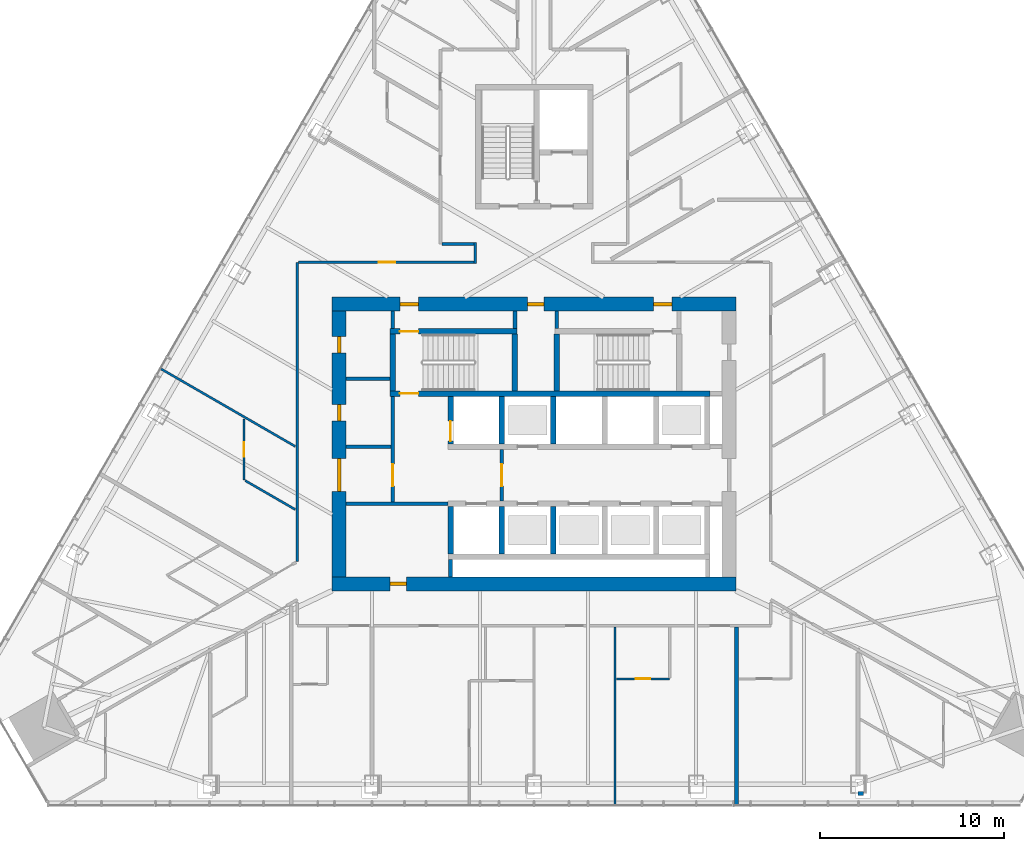
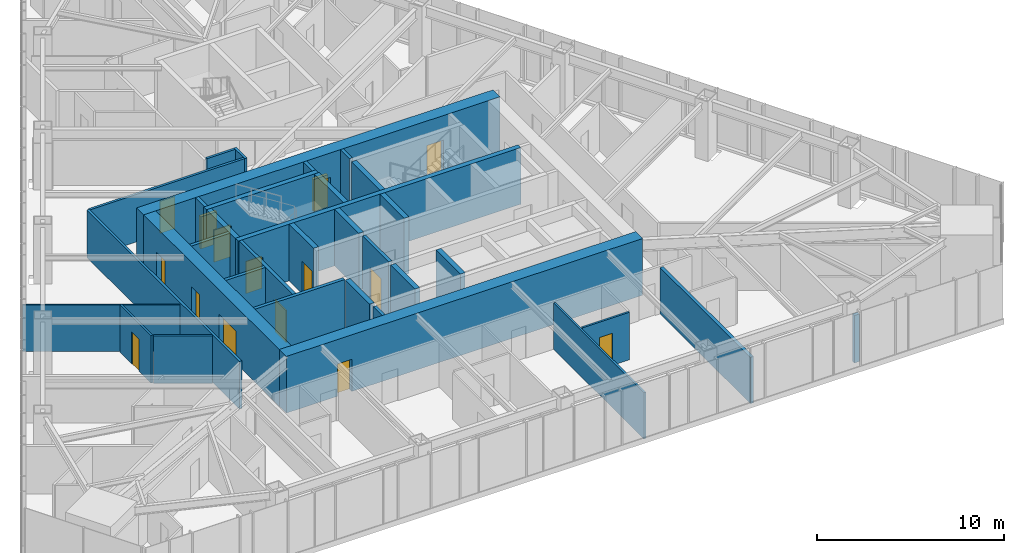
# One storey, part 14 of 19: 34 walls, 15 doors, 15 openings.
"""IFC4 building model written with IfcOpenShell, lengths in metres."""

from ifc_helpers import new_model, si_unit, direction, frame, frame_2d, origin, place, context, subcontext, project, spatial, rectangle, extrude, material, layer, layer_set, type_object, element, fill, save


model = new_model("IFC4")

# Units and contexts
model_context = context("Model", 3, precision=1e-05, world=origin(), true_north=direction((0.0, 1.0)))
body_context = subcontext(model_context, "Body", "Model", "MODEL_VIEW")
ifc_project = project(units=[si_unit("LENGTHUNIT", "METRE"), si_unit("AREAUNIT", "SQUARE_METRE"), si_unit("VOLUMEUNIT", "CUBIC_METRE"), si_unit("PLANEANGLEUNIT", "RADIAN"), si_unit("MASSUNIT", "GRAM", prefix="KILO")], contexts=[model_context])

# Site, building, storey
site_placement = place(None, origin())
site = spatial("IfcSite", under=ifc_project, at=site_placement, CompositionType="ELEMENT")
building_placement = place(site_placement, origin())
building = spatial("IfcBuilding", under=site, at=building_placement, Name="Firuza Gate Tower and Library", CompositionType="ELEMENT")
storey_placement = place(building_placement, frame((0.0, 0.0, 179.199951171875)))
storey = spatial("IfcBuildingStorey", under=building, at=storey_placement, Name="L41", CompositionType="ELEMENT", Elevation=179.199951171875)

# Walls
ifc_material_1 = material(Name="Plasterboard on steel studs", Category="steel")
ifc_layer_1 = layer(ifc_material_1, 0.199951171875)
ifc_layer_set_1 = layer_set([ifc_layer_1], Name="Core partition 200 EI 120")
wall_type_1 = type_object("IfcWallType", Name="Core partition 200 EI 120", PredefinedType="PARTITIONING", material=ifc_layer_set_1)
wall_1_placement = place(storey_placement, frame((64.75, 71.75, 0.0), z_axis=(0.0, 0.0, 1.0), x_axis=(1.0, 0.0, 0.0)))
element("IfcWall", 1, at=wall_1_placement, inside=storey, type_object=wall_type_1, Name="Core partition L41 1", PredefinedType="PARTITIONING", context=body_context, shape_type="SweptSolid", body=[
    extrude(rectangle(XDim=5.550048828125, YDim=0.199951171875, at=frame_2d((2.77490234375, 0.0))), origin(), (0.0, 0.0, 1.0), 3.699951171875),
])
wall_2_placement = place(storey_placement, frame((70.449951171875, 67.75, 0.0), z_axis=(0.0, 0.0, 1.0), x_axis=(0.0, 1.0, 0.0)))
element("IfcWall", 2, at=wall_2_placement, inside=storey, type_object=wall_type_1, Name="Core partition L41 9", PredefinedType="PARTITIONING", context=body_context, shape_type="SweptSolid", body=[
    extrude(rectangle(XDim=0.949951171875, YDim=0.199951171875, at=frame_2d((0.47509765625, 0.0))), origin(), (0.0, 0.0, 1.0), 3.699951171875),
])
ifc_material_2 = material(Name="Plasterboard on steel studs", Category="steel")
ifc_layer_2 = layer(ifc_material_2, 0.199951171875)
ifc_layer_set_2 = layer_set([ifc_layer_2], Name="Core partition 200 EI 60")
wall_type_2 = type_object("IfcWallType", Name="Core partition 200 EI 60", PredefinedType="PARTITIONING", material=ifc_layer_set_2)
wall_3_placement = place(storey_placement, frame((64.75, 74.85009765625, 0.0), z_axis=(0.0, 0.0, 1.0), x_axis=(1.0, 0.0, 0.0)))
element("IfcWall", 3, at=wall_3_placement, inside=storey, type_object=wall_type_2, Name="Core partition L41 3", PredefinedType="PARTITIONING", context=body_context, shape_type="SweptSolid", body=[
    extrude(rectangle(XDim=2.449951171875, YDim=0.199951171875, at=frame_2d((1.22509765625, 0.0))), origin(), (0.0, 0.0, 1.0), 3.699951171875),
])
wall_4_placement = place(storey_placement, frame((64.75, 78.550048828125, 0.0), z_axis=(0.0, 0.0, 1.0), x_axis=(1.0, 0.0, 0.0)))
element("IfcWall", 4, at=wall_4_placement, inside=storey, type_object=wall_type_2, Name="Core partition L41 6", PredefinedType="PARTITIONING", context=body_context, shape_type="SweptSolid", body=[
    extrude(rectangle(XDim=2.39990234375, YDim=0.199951171875, at=frame_2d((1.199951171875, 0.0))), origin(), (0.0, 0.0, 1.0), 3.699951171875),
])

# Wall, opening, door
wall_5_placement = place(storey_placement, frame((67.300048828125, 71.85009765625, 0.0), z_axis=(0.0, 0.0, 1.0), x_axis=(0.0, 1.0, 0.0)))
wall_5 = element("IfcWall", 5, at=wall_5_placement, inside=storey, type_object=wall_type_2, Name="Core partition L41 7", PredefinedType="PARTITIONING", context=body_context, shape_type="SweptSolid", body=[
    extrude(rectangle(XDim=5.75, YDim=0.199951171875, at=frame_2d((2.875, 0.0))), origin(), (0.0, 0.0, 1.0), 3.699951171875),
])
opening_1_placement = place(wall_5_placement, frame((0.85009765625, 0.0, 0.0)))
opening_1 = element("IfcOpeningElement", 6, at=opening_1_placement, cuts=wall_5, Name="Opening L41-K19", PredefinedType="OPENING", context=body_context, shape_type="SweptSolid", body=[
    extrude(rectangle(XDim=1.199951171875, YDim=2.10009765625, at=frame_2d((0.60009765625, 1.050048828125))), frame((0.0, 0.10986328125, 0.0), z_axis=(0.0, -1.0, 0.0), x_axis=(1.0, 0.0, 0.0)), (0.0, 0.0, 1.0), 0.219970703125),
])
ifc_material_3 = material(Name="Steel", Category="steel")
door_type_1 = type_object("IfcDoorType", Name="Fire door 1200x2100 FD90S", OperationType="NOTDEFINED", PredefinedType="DOOR", material=ifc_material_3)
door_1_placement = place(opening_1_placement, origin())
door_1 = element("IfcDoor", 7, at=door_1_placement, inside=storey, type_object=door_type_1, Name="Door L41-K19", OperationType="SINGLE_SWING_RIGHT", OverallHeight=2.10009765625, OverallWidth=1.199951171875, PredefinedType="DOOR", context=body_context, shape_type="SweptSolid", body=[
    extrude(rectangle(XDim=1.199951171875, YDim=2.10009765625, at=frame_2d((0.60009765625, 1.050048828125))), frame((0.0, 0.02490234375, 0.0), z_axis=(0.0, -1.0, 0.0), x_axis=(1.0, 0.0, 0.0)), (0.0, 0.0, 1.0), 0.050048828125),
])
fill(opening_1, door_1)

# Wall
wall_6_placement = place(storey_placement, frame((67.300048828125, 81.280029296875, 0.0), z_axis=(0.0, 0.0, 1.0), x_axis=(0.0, 1.0, 0.0)))
element("IfcWall", 8, at=wall_6_placement, inside=storey, type_object=wall_type_2, Name="Core partition L41 8", PredefinedType="PARTITIONING", context=body_context, shape_type="SweptSolid", body=[
    extrude(rectangle(XDim=0.969970703125, YDim=0.199951171875, at=frame_2d((0.48486328125, 0.0))), origin(), (0.0, 0.0, 1.0), 3.699951171875),
])

# Wall, opening, door
wall_7_placement = place(storey_placement, frame((73.25, 71.89990234375, 0.0), z_axis=(0.0, 0.0, 1.0), x_axis=(0.0, 1.0, 0.0)))
wall_7 = element("IfcWall", 9, at=wall_7_placement, inside=storey, type_object=wall_type_2, Name="Core partition L41 10", PredefinedType="PARTITIONING", context=body_context, shape_type="SweptSolid", body=[
    extrude(rectangle(XDim=2.800048828125, YDim=0.199951171875, at=frame_2d((1.39990234375, 0.0))), origin(), (0.0, 0.0, 1.0), 3.699951171875),
])
opening_2_placement = place(wall_7_placement, frame((0.800048828125, 0.0, 0.0)))
opening_2 = element("IfcOpeningElement", 10, at=opening_2_placement, cuts=wall_7, Name="Opening L41-K18", PredefinedType="OPENING", context=body_context, shape_type="SweptSolid", body=[
    extrude(rectangle(XDim=1.199951171875, YDim=2.10009765625, at=frame_2d((0.60009765625, 1.050048828125))), frame((0.0, 0.10986328125, 0.0), z_axis=(0.0, -1.0, 0.0), x_axis=(1.0, 0.0, 0.0)), (0.0, 0.0, 1.0), 0.219970703125),
])
door_2_placement = place(opening_2_placement, origin())
door_2 = element("IfcDoor", 11, at=door_2_placement, inside=storey, type_object=door_type_1, Name="Door L41-K18", OperationType="SINGLE_SWING_LEFT", OverallHeight=2.10009765625, OverallWidth=1.199951171875, PredefinedType="DOOR", context=body_context, shape_type="SweptSolid", body=[
    extrude(rectangle(XDim=1.199951171875, YDim=2.10009765625, at=frame_2d((0.60009765625, 1.050048828125))), frame((0.0, 0.02490234375, 0.0), z_axis=(0.0, -1.0, 0.0), x_axis=(1.0, 0.0, 0.0)), (0.0, 0.0, 1.0), 0.050048828125),
])
fill(opening_2, door_2)

# Walls
for number, where, z_axis, x_axis, name in (
    (12, (73.9599609375, 81.280029296875, 0.0), (0.0, 0.0, 1.0), (0.0, 1.0, 0.0), "Core partition L41 11"),
    (13, (76.239990234375, 81.280029296875, 0.0), (0.0, 0.0, 1.0), (0.0, 1.0, 0.0), "Core partition L41 12"),
):
    element("IfcWall", number, at=place(storey_placement, frame(where, z_axis=z_axis, x_axis=x_axis)), inside=storey, type_object=wall_type_2, Name=name, PredefinedType="PARTITIONING", context=body_context, shape_type="SweptSolid", body=[
        extrude(rectangle(XDim=0.969970703125, YDim=0.199951171875, at=frame_2d((0.48486328125, 0.0))), origin(), (0.0, 0.0, 1.0), 3.699951171875),
    ])
ifc_material_4 = material(Name="Concrete C80/95", Category="concrete")
ifc_layer_3 = layer(ifc_material_4, 0.300048828125)
ifc_layer_set_3 = layer_set([ifc_layer_3], Name="Core wall 300 C80/95")
wall_type_3 = type_object("IfcWallType", Name="Core wall 300 C80/95", PredefinedType="SHEAR", material=ifc_layer_set_3)
wall_8_placement = place(storey_placement, frame((70.449951171875, 69.0, 0.0), z_axis=(0.0, 0.0, 1.0), x_axis=(0.0, 1.0, 0.0)))
element("IfcWall", 14, at=wall_8_placement, inside=storey, type_object=wall_type_3, Name="Core wall L41 8", PredefinedType="SHEAR", context=body_context, shape_type="SweptSolid", body=[
    extrude(rectangle(XDim=2.60009765625, YDim=0.300048828125, at=frame_2d((1.300048828125, 0.0))), origin(), (0.0, 0.0, 1.0), 3.699951171875),
])

# Wall, opening, door
wall_9_placement = place(storey_placement, frame((70.449951171875, 75.0, 0.0), z_axis=(0.0, 0.0, 1.0), x_axis=(0.0, 1.0, 0.0)))
wall_9 = element("IfcWall", 15, at=wall_9_placement, inside=storey, type_object=wall_type_3, Name="Core wall L41 9", PredefinedType="SHEAR", context=body_context, shape_type="SweptSolid", body=[
    extrude(rectangle(XDim=2.60009765625, YDim=0.300048828125, at=frame_2d((1.300048828125, 0.0))), origin(), (0.0, 0.0, 1.0), 3.699951171875),
])
opening_3_placement = place(wall_9_placement, frame((0.14990234375, 0.0, 0.0)))
opening_3 = element("IfcOpeningElement", 16, at=opening_3_placement, cuts=wall_9, Name="Opening LD-FF2-L41", PredefinedType="OPENING", context=body_context, shape_type="SweptSolid", body=[
    extrude(rectangle(XDim=1.10009765625, YDim=2.10009765625, at=frame_2d((0.550048828125, 1.050048828125))), frame((0.0, 0.16015625, 0.0), z_axis=(0.0, -1.0, 0.0), x_axis=(1.0, 0.0, 0.0)), (0.0, 0.0, 1.0), 0.320068359375),
])
ifc_material_5 = material(Name="Stainless steel", Category="steel")
door_type_2 = type_object("IfcDoorType", Name="Lift landing door 1100x2100", OperationType="DOUBLE_DOOR_SLIDING", PredefinedType="DOOR", material=ifc_material_5)
door_3_placement = place(opening_3_placement, origin())
door_3 = element("IfcDoor", 17, at=door_3_placement, inside=storey, type_object=door_type_2, Name="Landing door FF2 L41", OperationType="DOUBLE_DOOR_SLIDING", OverallHeight=2.10009765625, OverallWidth=1.10009765625, PredefinedType="DOOR", context=body_context, shape_type="SweptSolid", body=[
    extrude(rectangle(XDim=1.10009765625, YDim=2.10009765625, at=frame_2d((0.550048828125, 1.050048828125))), frame((0.0, 0.02490234375, 0.0), z_axis=(0.0, -1.0, 0.0), x_axis=(1.0, 0.0, 0.0)), (0.0, 0.0, 1.0), 0.050048828125),
])
fill(opening_3, door_3)

# Walls
for number, where, z_axis, x_axis, name in (
    (18, (73.25, 69.0, 0.0), (0.0, 0.0, 1.0), (0.0, 1.0, 0.0), "Core wall L41 10"),
    (19, (73.25, 75.0, 0.0), (0.0, 0.0, 1.0), (0.0, 1.0, 0.0), "Core wall L41 11"),
    (20, (76.050048828125, 69.0, 0.0), (0.0, 0.0, 1.0), (0.0, 1.0, 0.0), "Core wall L41 12"),
    (21, (76.050048828125, 75.0, 0.0), (0.0, 0.0, 1.0), (0.0, 1.0, 0.0), "Core wall L41 13"),
):
    element("IfcWall", number, at=place(storey_placement, frame(where, z_axis=z_axis, x_axis=x_axis)), inside=storey, type_object=wall_type_3, Name=name, PredefinedType="SHEAR", context=body_context, shape_type="SweptSolid", body=[
        extrude(rectangle(XDim=2.60009765625, YDim=0.300048828125, at=frame_2d((1.300048828125, 0.0))), origin(), (0.0, 0.0, 1.0), 3.699951171875),
    ])

# Wall, opening, door
wall_10_placement = place(storey_placement, frame((67.14990234375, 77.75, 0.0), z_axis=(0.0, 0.0, 1.0), x_axis=(1.0, 0.0, 0.0)))
wall_10 = element("IfcWall", 22, at=wall_10_placement, inside=storey, type_object=wall_type_3, Name="Core wall L41 20", PredefinedType="SHEAR", context=body_context, shape_type="SweptSolid", body=[
    extrude(rectangle(XDim=17.4501953125, YDim=0.300048828125, at=frame_2d((8.72509765625, 0.0))), origin(), (0.0, 0.0, 1.0), 3.699951171875),
])
opening_4_placement = place(wall_10_placement, frame((0.544921875, 0.0, 0.0)))
opening_4 = element("IfcOpeningElement", 23, at=opening_4_placement, cuts=wall_10, Name="Opening L41-K10", PredefinedType="OPENING", context=body_context, shape_type="SweptSolid", body=[
    extrude(rectangle(XDim=1.0, YDim=2.10009765625, at=frame_2d((0.5, 1.050048828125))), frame((0.0, 0.16015625, 0.0), z_axis=(0.0, -1.0, 0.0), x_axis=(1.0, 0.0, 0.0)), (0.0, 0.0, 1.0), 0.320068359375),
])
ifc_material_6 = material(Name="Steel", Category="steel")
door_type_3 = type_object("IfcDoorType", Name="Fire door 1000x2100 FD90", OperationType="NOTDEFINED", PredefinedType="DOOR", material=ifc_material_6)
door_4_placement = place(opening_4_placement, origin())
door_4 = element("IfcDoor", 24, at=door_4_placement, inside=storey, type_object=door_type_3, Name="Door L41-K10", OperationType="SINGLE_SWING_LEFT", OverallHeight=2.10009765625, OverallWidth=1.0, PredefinedType="DOOR", context=body_context, shape_type="SweptSolid", body=[
    extrude(rectangle(XDim=1.0, YDim=2.10009765625, at=frame_2d((0.5, 1.050048828125))), frame((0.0, 0.02490234375, 0.0), z_axis=(0.0, -1.0, 0.0), x_axis=(1.0, 0.0, 0.0)), (0.0, 0.0, 1.0), 0.050048828125),
])
fill(opening_4, door_4)

wall_11_placement = place(storey_placement, frame((67.14990234375, 81.1298828125, 0.0), z_axis=(0.0, 0.0, 1.0), x_axis=(1.0, 0.0, 0.0)))
wall_11 = element("IfcWall", 25, at=wall_11_placement, inside=storey, type_object=wall_type_3, Name="Core wall L41 21", PredefinedType="SHEAR", context=body_context, shape_type="SweptSolid", body=[
    extrude(rectangle(XDim=6.91015625, YDim=0.300048828125, at=frame_2d((3.455078125, 0.0))), origin(), (0.0, 0.0, 1.0), 3.699951171875),
])
opening_5_placement = place(wall_11_placement, frame((0.544921875, 0.0, 0.0)))
opening_5 = element("IfcOpeningElement", 26, at=opening_5_placement, cuts=wall_11, Name="Opening L41-K11", PredefinedType="OPENING", context=body_context, shape_type="SweptSolid", body=[
    extrude(rectangle(XDim=1.0, YDim=2.10009765625, at=frame_2d((0.5, 1.050048828125))), frame((0.0, 0.16015625, 0.0), z_axis=(0.0, -1.0, 0.0), x_axis=(1.0, 0.0, 0.0)), (0.0, 0.0, 1.0), 0.320068359375),
])
door_5_placement = place(opening_5_placement, origin())
door_5 = element("IfcDoor", 27, at=door_5_placement, inside=storey, type_object=door_type_3, Name="Door L41-K11", OperationType="SINGLE_SWING_RIGHT", OverallHeight=2.10009765625, OverallWidth=1.0, PredefinedType="DOOR", context=body_context, shape_type="SweptSolid", body=[
    extrude(rectangle(XDim=1.0, YDim=2.10009765625, at=frame_2d((0.5, 1.050048828125))), frame((0.0, 0.02490234375, 0.0), z_axis=(0.0, -1.0, 0.0), x_axis=(1.0, 0.0, 0.0)), (0.0, 0.0, 1.0), 0.050048828125),
])
fill(opening_5, door_5)

# Walls
for number, where, z_axis, x_axis, name in (
    (28, (67.300048828125, 77.89990234375, 0.0), (0.0, 0.0, 1.0), (0.0, 1.0, 0.0), "Core wall L41 23"),
    (29, (73.9599609375, 77.89990234375, 0.0), (0.0, 0.0, 1.0), (0.0, 1.0, 0.0), "Core wall L41 24"),
    (30, (76.239990234375, 77.89990234375, 0.0), (0.0, 0.0, 1.0), (0.0, 1.0, 0.0), "Core wall L41 25"),
):
    element("IfcWall", number, at=place(storey_placement, frame(where, z_axis=z_axis, x_axis=x_axis)), inside=storey, type_object=wall_type_3, Name=name, PredefinedType="SHEAR", context=body_context, shape_type="SweptSolid", body=[
        extrude(rectangle(XDim=3.080078125, YDim=0.300048828125, at=frame_2d((1.5400390625, 0.0))), origin(), (0.0, 0.0, 1.0), 3.699951171875),
    ])

# Wall, opening, door
ifc_material_7 = material(Name="Concrete C80/95", Category="concrete")
ifc_layer_4 = layer(ifc_material_7, 0.75)
ifc_layer_set_4 = layer_set([ifc_layer_4], Name="Core wall 750 C80/95")
wall_type_4 = type_object("IfcWallType", Name="Core wall 750 C80/95", PredefinedType="SHEAR", material=ifc_layer_set_4)
wall_12_placement = place(storey_placement, frame((64.0, 67.375, 0.0), z_axis=(0.0, 0.0, 1.0), x_axis=(1.0, 0.0, 0.0)))
wall_12 = element("IfcWall", 31, at=wall_12_placement, inside=storey, type_object=wall_type_4, Name="Core wall L41 1", PredefinedType="SHEAR", context=body_context, shape_type="SweptSolid", body=[
    extrude(rectangle(XDim=22.0, YDim=0.75, at=frame_2d((11.0, 0.0))), origin(), (0.0, 0.0, 1.0), 3.699951171875),
])
opening_6_placement = place(wall_12_placement, frame((3.14990234375, 0.0, 0.0)))
opening_6 = element("IfcOpeningElement", 32, at=opening_6_placement, cuts=wall_12, Name="Opening L41-K22", PredefinedType="OPENING", context=body_context, shape_type="SweptSolid", body=[
    extrude(rectangle(XDim=0.89990234375, YDim=2.10009765625, at=frame_2d((0.449951171875, 1.050048828125))), frame((0.0, 0.385009765625, 0.0), z_axis=(0.0, -1.0, 0.0), x_axis=(1.0, 0.0, 0.0)), (0.0, 0.0, 1.0), 0.77001953125),
])
ifc_material_8 = material(Name="Steel", Category="steel")
door_type_4 = type_object("IfcDoorType", Name="Fire door 900x2100 FD30S", OperationType="NOTDEFINED", PredefinedType="DOOR", material=ifc_material_8)
door_6_placement = place(opening_6_placement, origin())
door_6 = element("IfcDoor", 33, at=door_6_placement, inside=storey, type_object=door_type_4, Name="Door L41-K22", OperationType="SINGLE_SWING_LEFT", OverallHeight=2.10009765625, OverallWidth=0.89990234375, PredefinedType="DOOR", context=body_context, shape_type="SweptSolid", body=[
    extrude(rectangle(XDim=0.89990234375, YDim=2.10009765625, at=frame_2d((0.449951171875, 1.050048828125))), frame((0.0, 0.094970703125, 0.0), z_axis=(0.0, -1.0, 0.0), x_axis=(1.0, 0.0, 0.0)), (0.0, 0.0, 1.0), 0.18994140625),
])
fill(opening_6, door_6)

# Wall, openings, doors
wall_13_placement = place(storey_placement, frame((64.0, 82.625, 0.0), z_axis=(0.0, 0.0, 1.0), x_axis=(1.0, 0.0, 0.0)))
wall_13 = element("IfcWall", 34, at=wall_13_placement, inside=storey, type_object=wall_type_4, Name="Core wall L41 2", PredefinedType="SHEAR", context=body_context, shape_type="SweptSolid", body=[
    extrude(rectangle(XDim=22.0, YDim=0.75, at=frame_2d((11.0, 0.0))), origin(), (0.0, 0.0, 1.0), 3.699951171875),
])
opening_7_placement = place(wall_13_placement, frame((3.695068359375, 0.0, 0.0)))
opening_7 = element("IfcOpeningElement", 35, at=opening_7_placement, cuts=wall_13, Name="Opening L41-K12", PredefinedType="OPENING", context=body_context, shape_type="SweptSolid", body=[
    extrude(rectangle(XDim=1.0, YDim=2.10009765625, at=frame_2d((0.5, 1.050048828125))), frame((0.0, 0.385009765625, 0.0), z_axis=(0.0, -1.0, 0.0), x_axis=(1.0, 0.0, 0.0)), (0.0, 0.0, 1.0), 0.77001953125),
])
opening_8_placement = place(wall_13_placement, frame((17.5048828125, 0.0, 0.0)))
opening_8 = element("IfcOpeningElement", 36, at=opening_8_placement, cuts=wall_13, Name="Opening L41-K14", PredefinedType="OPENING", context=body_context, shape_type="SweptSolid", body=[
    extrude(rectangle(XDim=1.0, YDim=2.10009765625, at=frame_2d((0.5, 1.050048828125))), frame((0.0, 0.385009765625, 0.0), z_axis=(0.0, -1.0, 0.0), x_axis=(1.0, 0.0, 0.0)), (0.0, 0.0, 1.0), 0.77001953125),
])
opening_9_placement = place(wall_13_placement, frame((10.64990234375, 0.0, 0.0)))
opening_9 = element("IfcOpeningElement", 37, at=opening_9_placement, cuts=wall_13, Name="Opening L41-K25", PredefinedType="OPENING", context=body_context, shape_type="SweptSolid", body=[
    extrude(rectangle(XDim=0.89990234375, YDim=2.10009765625, at=frame_2d((0.449951171875, 1.050048828125))), frame((0.0, 0.385009765625, 0.0), z_axis=(0.0, -1.0, 0.0), x_axis=(1.0, 0.0, 0.0)), (0.0, 0.0, 1.0), 0.77001953125),
])
door_7_placement = place(opening_7_placement, origin())
door_7 = element("IfcDoor", 38, at=door_7_placement, inside=storey, type_object=door_type_3, Name="Door L41-K12", OperationType="SINGLE_SWING_LEFT", OverallHeight=2.10009765625, OverallWidth=1.0, PredefinedType="DOOR", context=body_context, shape_type="SweptSolid", body=[
    extrude(rectangle(XDim=1.0, YDim=2.10009765625, at=frame_2d((0.5, 1.050048828125))), frame((0.0, 0.094970703125, 0.0), z_axis=(0.0, -1.0, 0.0), x_axis=(1.0, 0.0, 0.0)), (0.0, 0.0, 1.0), 0.18994140625),
])
fill(opening_7, door_7)
door_8_placement = place(opening_8_placement, origin())
door_8 = element("IfcDoor", 39, at=door_8_placement, inside=storey, type_object=door_type_3, Name="Door L41-K14", OperationType="SINGLE_SWING_LEFT", OverallHeight=2.10009765625, OverallWidth=1.0, PredefinedType="DOOR", context=body_context, shape_type="SweptSolid", body=[
    extrude(rectangle(XDim=1.0, YDim=2.10009765625, at=frame_2d((0.5, 1.050048828125))), frame((0.0, 0.094970703125, 0.0), z_axis=(0.0, -1.0, 0.0), x_axis=(1.0, 0.0, 0.0)), (0.0, 0.0, 1.0), 0.18994140625),
])
fill(opening_8, door_8)
door_9_placement = place(opening_9_placement, origin())
door_9 = element("IfcDoor", 40, at=door_9_placement, inside=storey, type_object=door_type_4, Name="Door L41-K25", OperationType="SINGLE_SWING_RIGHT", OverallHeight=2.10009765625, OverallWidth=0.89990234375, PredefinedType="DOOR", context=body_context, shape_type="SweptSolid", body=[
    extrude(rectangle(XDim=0.89990234375, YDim=2.10009765625, at=frame_2d((0.449951171875, 1.050048828125))), frame((0.0, 0.094970703125, 0.0), z_axis=(0.0, -1.0, 0.0), x_axis=(1.0, 0.0, 0.0)), (0.0, 0.0, 1.0), 0.18994140625),
])
fill(opening_9, door_9)

wall_14_placement = place(storey_placement, frame((64.375, 67.75, 0.0), z_axis=(0.0, 0.0, 1.0), x_axis=(0.0, 1.0, 0.0)))
wall_14 = element("IfcWall", 41, at=wall_14_placement, inside=storey, type_object=wall_type_4, Name="Core wall L41 3", PredefinedType="SHEAR", context=body_context, shape_type="SweptSolid", body=[
    extrude(rectangle(XDim=14.5, YDim=0.75, at=frame_2d((7.25, 0.0))), origin(), (0.0, 0.0, 1.0), 3.699951171875),
])
opening_10_placement = place(wall_14_placement, frame((4.64990234375, 0.0, 0.0)))
opening_10 = element("IfcOpeningElement", 42, at=opening_10_placement, cuts=wall_14, Name="Opening L41-K20", PredefinedType="OPENING", context=body_context, shape_type="SweptSolid", body=[
    extrude(rectangle(XDim=1.800048828125, YDim=2.10009765625, at=frame_2d((0.89990234375, 1.050048828125))), frame((0.0, 0.385009765625, 0.0), z_axis=(0.0, -1.0, 0.0), x_axis=(1.0, 0.0, 0.0)), (0.0, 0.0, 1.0), 0.77001953125),
])
opening_11_placement = place(wall_14_placement, frame((8.5, 0.0, 0.0)))
opening_11 = element("IfcOpeningElement", 43, at=opening_11_placement, cuts=wall_14, Name="Opening L41-K23", PredefinedType="OPENING", context=body_context, shape_type="SweptSolid", body=[
    extrude(rectangle(XDim=0.89990234375, YDim=2.10009765625, at=frame_2d((0.449951171875, 1.050048828125))), frame((0.0, 0.385009765625, 0.0), z_axis=(0.0, -1.0, 0.0), x_axis=(1.0, 0.0, 0.0)), (0.0, 0.0, 1.0), 0.77001953125),
])
opening_12_placement = place(wall_14_placement, frame((12.199951171875, 0.0, 0.0)))
opening_12 = element("IfcOpeningElement", 44, at=opening_12_placement, cuts=wall_14, Name="Opening L41-K24", PredefinedType="OPENING", context=body_context, shape_type="SweptSolid", body=[
    extrude(rectangle(XDim=0.89990234375, YDim=2.10009765625, at=frame_2d((0.449951171875, 1.050048828125))), frame((0.0, 0.385009765625, 0.0), z_axis=(0.0, -1.0, 0.0), x_axis=(1.0, 0.0, 0.0)), (0.0, 0.0, 1.0), 0.77001953125),
])
ifc_material_9 = material(Name="Steel", Category="steel")
door_type_5 = type_object("IfcDoorType", Name="Fire door 1800x2100 FD30S", OperationType="NOTDEFINED", PredefinedType="DOOR", material=ifc_material_9)
door_10_placement = place(opening_10_placement, origin())
door_10 = element("IfcDoor", 45, at=door_10_placement, inside=storey, type_object=door_type_5, Name="Door L41-K20", OperationType="SINGLE_SWING_LEFT", OverallHeight=2.10009765625, OverallWidth=1.800048828125, PredefinedType="DOOR", context=body_context, shape_type="SweptSolid", body=[
    extrude(rectangle(XDim=1.800048828125, YDim=2.10009765625, at=frame_2d((0.89990234375, 1.050048828125))), frame((0.0, 0.094970703125, 0.0), z_axis=(0.0, -1.0, 0.0), x_axis=(1.0, 0.0, 0.0)), (0.0, 0.0, 1.0), 0.18994140625),
])
fill(opening_10, door_10)
door_11_placement = place(opening_11_placement, origin())
door_11 = element("IfcDoor", 46, at=door_11_placement, inside=storey, type_object=door_type_4, Name="Door L41-K23", OperationType="SINGLE_SWING_RIGHT", OverallHeight=2.10009765625, OverallWidth=0.89990234375, PredefinedType="DOOR", context=body_context, shape_type="SweptSolid", body=[
    extrude(rectangle(XDim=0.89990234375, YDim=2.10009765625, at=frame_2d((0.449951171875, 1.050048828125))), frame((0.0, 0.094970703125, 0.0), z_axis=(0.0, -1.0, 0.0), x_axis=(1.0, 0.0, 0.0)), (0.0, 0.0, 1.0), 0.18994140625),
])
fill(opening_11, door_11)
door_12_placement = place(opening_12_placement, origin())
door_12 = element("IfcDoor", 47, at=door_12_placement, inside=storey, type_object=door_type_4, Name="Door L41-K24", OperationType="SINGLE_SWING_LEFT", OverallHeight=2.10009765625, OverallWidth=0.89990234375, PredefinedType="DOOR", context=body_context, shape_type="SweptSolid", body=[
    extrude(rectangle(XDim=0.89990234375, YDim=2.10009765625, at=frame_2d((0.449951171875, 1.050048828125))), frame((0.0, 0.094970703125, 0.0), z_axis=(0.0, -1.0, 0.0), x_axis=(1.0, 0.0, 0.0)), (0.0, 0.0, 1.0), 0.18994140625),
])
fill(opening_12, door_12)

# Wall, opening, door
ifc_material_10 = material(Name="Gypsum board partition")
ifc_layer_5 = layer(ifc_material_10, 0.14990234375)
ifc_layer_set_5 = layer_set([ifc_layer_5], Name="Corridor wall 150 double board on steel studs")
wall_type_5 = type_object("IfcWallType", Name="Corridor wall 150 double board on steel studs", PredefinedType="PARTITIONING", material=ifc_layer_set_5)
wall_15_placement = place(storey_placement, frame((71.72509765625, 84.89990234375, 0.0), z_axis=(0.0, 0.0, 1.0), x_axis=(-1.0, 0.0, 0.0)))
wall_15 = element("IfcWall", 48, at=wall_15_placement, inside=storey, type_object=wall_type_5, Name="f:L41:w010", PredefinedType="PARTITIONING", context=body_context, shape_type="SweptSolid", body=[
    extrude(rectangle(XDim=9.549560546875, YDim=0.14990234375, at=frame_2d((4.77490234375, 0.0))), origin(), (0.0, 0.0, 1.0), 3.10009765625),
])
opening_13_placement = place(wall_15_placement, frame((4.287353515625, 0.0, 0.0)))
opening_13 = element("IfcOpeningElement", 49, at=opening_13_placement, cuts=wall_15, Name="Opening L41-09", PredefinedType="OPENING", context=body_context, shape_type="SweptSolid", body=[
    extrude(rectangle(XDim=0.89990234375, YDim=2.10009765625, at=frame_2d((0.449951171875, 1.050048828125))), frame((0.0, 0.0849609375, 0.0), z_axis=(0.0, -1.0, 0.0), x_axis=(1.0, 0.0, 0.0)), (0.0, 0.0, 1.0), 0.169921875),
])
ifc_material_11 = material(Name="Steel door and timber leaf", Category="steel")
door_type_6 = type_object("IfcDoorType", Name="Fire door 900 x 2100 steel frame, timber leaf", OperationType="NOTDEFINED", PredefinedType="DOOR", material=ifc_material_11)
door_13_placement = place(opening_13_placement, origin())
door_13 = element("IfcDoor", 50, at=door_13_placement, inside=storey, type_object=door_type_6, Name="f:L41:d009", OperationType="SINGLE_SWING_LEFT", OverallHeight=2.10009765625, OverallWidth=0.89990234375, PredefinedType="DOOR", context=body_context, shape_type="SweptSolid", body=[
    extrude(rectangle(XDim=0.89990234375, YDim=2.10009765625, at=frame_2d((0.449951171875, 1.050048828125))), frame((0.0, 0.02490234375, 0.0), z_axis=(0.0, -1.0, 0.0), x_axis=(1.0, 0.0, 0.0)), (0.0, 0.0, 1.0), 0.050048828125),
])
fill(opening_13, door_13)

# Walls
wall_16_placement = place(storey_placement, frame((69.9755859375, 85.89990234375, 0.0), z_axis=(0.0, 0.0, 1.0), x_axis=(1.0, 0.0, 0.0)))
element("IfcWall", 51, at=wall_16_placement, inside=storey, type_object=wall_type_5, Name="f:L41:w012", PredefinedType="PARTITIONING", context=body_context, shape_type="SweptSolid", body=[
    extrude(rectangle(XDim=1.74951171875, YDim=0.14990234375, at=frame_2d((0.874755859375, 0.0))), origin(), (0.0, 0.0, 1.0), 3.10009765625),
])
wall_17_placement = place(storey_placement, frame((71.800048828125, 84.824951171875, 0.0), z_axis=(0.0, 0.0, 1.0), x_axis=(0.0, 1.0, 0.0)))
element("IfcWall", 52, at=wall_17_placement, inside=storey, type_object=wall_type_5, Name="f:L41:w064", PredefinedType="PARTITIONING", context=body_context, shape_type="SweptSolid", body=[
    extrude(rectangle(XDim=1.150146484375, YDim=0.14990234375, at=frame_2d((0.5751953125, 0.0))), origin(), (0.0, 0.0, 1.0), 3.10009765625),
])
wall_18_placement = place(storey_placement, frame((62.10009765625, 68.59130859375, 0.0), z_axis=(0.0, 0.0, 1.0), x_axis=(0.0, 1.0, 0.0)))
element("IfcWall", 53, at=wall_18_placement, inside=storey, type_object=wall_type_5, Name="f:L41:w074", PredefinedType="PARTITIONING", context=body_context, shape_type="SweptSolid", body=[
    extrude(rectangle(XDim=16.30810546875, YDim=0.14990234375, at=frame_2d((8.154052734375, 0.0))), origin(), (0.0, 0.0, 1.0), 3.10009765625),
])
ifc_material_12 = material(Name="Gypsum board partition")
ifc_layer_6 = layer(ifc_material_12, 0.199951171875)
ifc_layer_set_6 = layer_set([ifc_layer_6], Name="Demising wall 200 acoustic double stud")
wall_type_6 = type_object("IfcWallType", Name="Demising wall 200 acoustic double stud", PredefinedType="PARTITIONING", material=ifc_layer_set_6)
wall_19_placement = place(storey_placement, frame((92.647705078125, 55.9599609375, 0.0), z_axis=(0.0, 0.0, 1.0), x_axis=(1.0, 0.0, 0.0)))
element("IfcWall", 54, at=wall_19_placement, inside=storey, type_object=wall_type_6, Name="f:L41:w003", PredefinedType="PARTITIONING", context=body_context, shape_type="SweptSolid", body=[
    extrude(rectangle(XDim=0.299560546875, YDim=0.199951171875, at=frame_2d((0.14990234375, 0.0))), origin(), (0.0, 0.0, 1.0), 3.10009765625),
])
wall_20_placement = place(storey_placement, frame((86.030029296875, 55.359619140625, 0.0), z_axis=(0.0, 0.0, 1.0), x_axis=(0.0, 1.0, 0.0)))
element("IfcWall", 55, at=wall_20_placement, inside=storey, type_object=wall_type_6, Name="f:L41:w050", PredefinedType="PARTITIONING", context=body_context, shape_type="SweptSolid", body=[
    extrude(rectangle(XDim=9.665283203125, YDim=0.199951171875, at=frame_2d((4.83251953125, 0.0))), origin(), (0.0, 0.0, 1.0), 3.02197265625),
])

# Wall, opening, door
ifc_material_13 = material(Name="Gypsum board partition")
ifc_layer_7 = layer(ifc_material_13, 0.1201171875)
ifc_layer_set_7 = layer_set([ifc_layer_7], Name="Wet-area partition 120 moisture-resistant board")
wall_type_7 = type_object("IfcWallType", Name="Wet-area partition 120 moisture-resistant board", PredefinedType="PARTITIONING", material=ifc_layer_set_7)
wall_21_placement = place(storey_placement, frame((79.48193359375, 62.199951171875, 0.0), z_axis=(0.0, 0.0, 1.0), x_axis=(1.0, 0.0, 0.0)))
wall_21 = element("IfcWall", 56, at=wall_21_placement, inside=storey, type_object=wall_type_7, Name="f:L41:w007", PredefinedType="PARTITIONING", context=body_context, shape_type="SweptSolid", body=[
    extrude(rectangle(XDim=2.907958984375, YDim=0.1201171875, at=frame_2d((1.4541015625, 0.0))), origin(), (0.0, 0.0, 1.0), 3.10009765625),
])
opening_14_placement = place(wall_21_placement, frame((1.053955078125, 0.0, 0.0)))
opening_14 = element("IfcOpeningElement", 57, at=opening_14_placement, cuts=wall_21, Name="Opening L41-03", PredefinedType="OPENING", context=body_context, shape_type="SweptSolid", body=[
    extrude(rectangle(XDim=0.800048828125, YDim=2.10009765625, at=frame_2d((0.39990234375, 1.050048828125))), frame((0.0, 0.070068359375, 0.0), z_axis=(0.0, -1.0, 0.0), x_axis=(1.0, 0.0, 0.0)), (0.0, 0.0, 1.0), 0.14013671875),
])
ifc_material_14 = material(Name="Timber door", Category="wood")
door_type_7 = type_object("IfcDoorType", Name="Door 800 x 2100 timber leaf", OperationType="NOTDEFINED", PredefinedType="DOOR", material=ifc_material_14)
door_14_placement = place(opening_14_placement, origin())
door_14 = element("IfcDoor", 58, at=door_14_placement, inside=storey, type_object=door_type_7, Name="f:L41:d003", OperationType="SINGLE_SWING_RIGHT", OverallHeight=2.10009765625, OverallWidth=0.800048828125, PredefinedType="DOOR", context=body_context, shape_type="SweptSolid", body=[
    extrude(rectangle(XDim=0.800048828125, YDim=2.10009765625, at=frame_2d((0.39990234375, 1.050048828125))), frame((0.0, 0.02490234375, 0.0), z_axis=(0.0, -1.0, 0.0), x_axis=(1.0, 0.0, 0.0)), (0.0, 0.0, 1.0), 0.050048828125),
])
fill(opening_14, door_14)

# Wall
wall_22_placement = place(storey_placement, frame((79.412109375, 55.359619140625, 0.0), z_axis=(0.0, 0.0, 1.0), x_axis=(0.0, 1.0, 0.0)))
element("IfcWall", 59, at=wall_22_placement, inside=storey, type_object=wall_type_7, Name="f:L41:w055", PredefinedType="PARTITIONING", context=body_context, shape_type="SweptSolid", body=[
    extrude(rectangle(XDim=9.665283203125, YDim=0.1201171875, at=frame_2d((4.83251953125, 0.0))), origin(), (0.0, 0.0, 1.0), 3.02197265625),
])

# Wall, opening, door
wall_23_placement = place(storey_placement, frame((59.199951171875, 76.37109375, 0.0), z_axis=(0.0, 0.0, 1.0), x_axis=(0.0, -1.0, 0.0)))
wall_23 = element("IfcWall", 60, at=wall_23_placement, inside=storey, type_object=wall_type_7, Name="f:L41:w077", PredefinedType="PARTITIONING", context=body_context, shape_type="SweptSolid", body=[
    extrude(rectangle(XDim=3.329345703125, YDim=0.1201171875, at=frame_2d((1.66455078125, 0.0))), origin(), (0.0, 0.0, 1.0), 3.10009765625),
])
opening_15_placement = place(wall_23_placement, frame((1.2646484375, 0.0, 0.0)))
opening_15 = element("IfcOpeningElement", 61, at=opening_15_placement, cuts=wall_23, Name="Opening L41-36", PredefinedType="OPENING", context=body_context, shape_type="SweptSolid", body=[
    extrude(rectangle(XDim=0.800048828125, YDim=2.10009765625, at=frame_2d((0.39990234375, 1.050048828125))), frame((0.0, 0.070068359375, 0.0), z_axis=(0.0, -1.0, 0.0), x_axis=(1.0, 0.0, 0.0)), (0.0, 0.0, 1.0), 0.14013671875),
])
door_15_placement = place(opening_15_placement, origin())
door_15 = element("IfcDoor", 62, at=door_15_placement, inside=storey, type_object=door_type_7, Name="f:L41:d036", OperationType="SINGLE_SWING_LEFT", OverallHeight=2.10009765625, OverallWidth=0.800048828125, PredefinedType="DOOR", context=body_context, shape_type="SweptSolid", body=[
    extrude(rectangle(XDim=0.800048828125, YDim=2.10009765625, at=frame_2d((0.39990234375, 1.050048828125))), frame((0.0, 0.02490234375, 0.0), z_axis=(0.0, -1.0, 0.0), x_axis=(1.0, 0.0, 0.0)), (0.0, 0.0, 1.0), 0.050048828125),
])
fill(opening_15, door_15)

# Walls
wall_24_placement = place(storey_placement, frame((61.990234375, 74.869384765625, 0.0), z_axis=(0.0, 0.0, 1.0), x_axis=(-0.866017924271, 0.500012954673, 0.0)))
element("IfcWall", 63, at=wall_24_placement, inside=storey, type_object=wall_type_7, Name="f:L41:w094", PredefinedType="PARTITIONING", context=body_context, shape_type="SweptSolid", body=[
    extrude(rectangle(XDim=8.438720703125, YDim=0.1201171875, at=frame_2d((4.21923828125, 0.0))), origin(), (0.0, 0.0, 1.0), 3.02197265625),
])
wall_25_placement = place(storey_placement, frame((61.990478515625, 71.4306640625, 0.0), z_axis=(0.0, 0.0, 1.0), x_axis=(-0.866028267601, 0.499995039691, 0.0)))
element("IfcWall", 64, at=wall_25_placement, inside=storey, type_object=wall_type_7, Name="f:L41:w095", PredefinedType="PARTITIONING", context=body_context, shape_type="SweptSolid", body=[
    extrude(rectangle(XDim=3.15283203125, YDim=0.1201171875, at=frame_2d((1.576416015625, 0.0))), origin(), (0.0, 0.0, 1.0), 3.10009765625),
])

save(model, "model.ifc")
